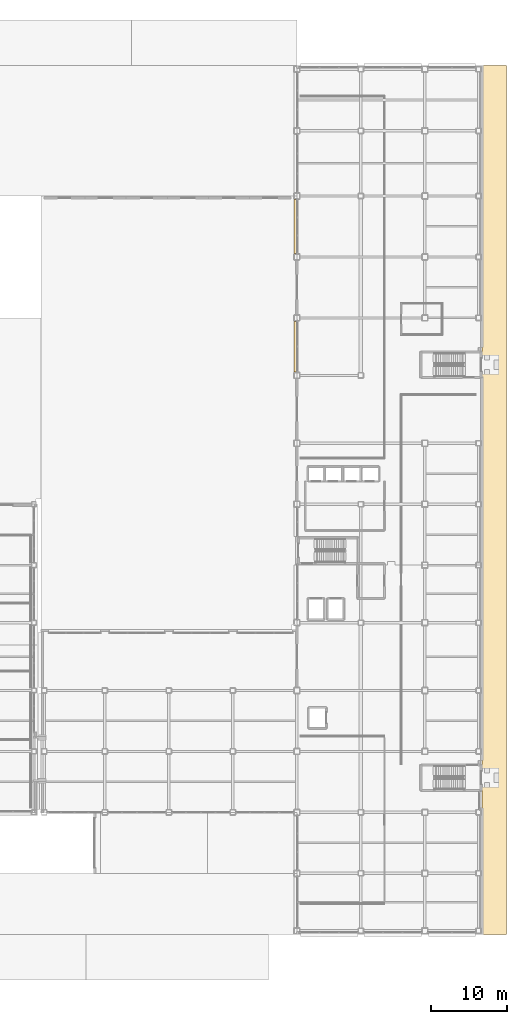
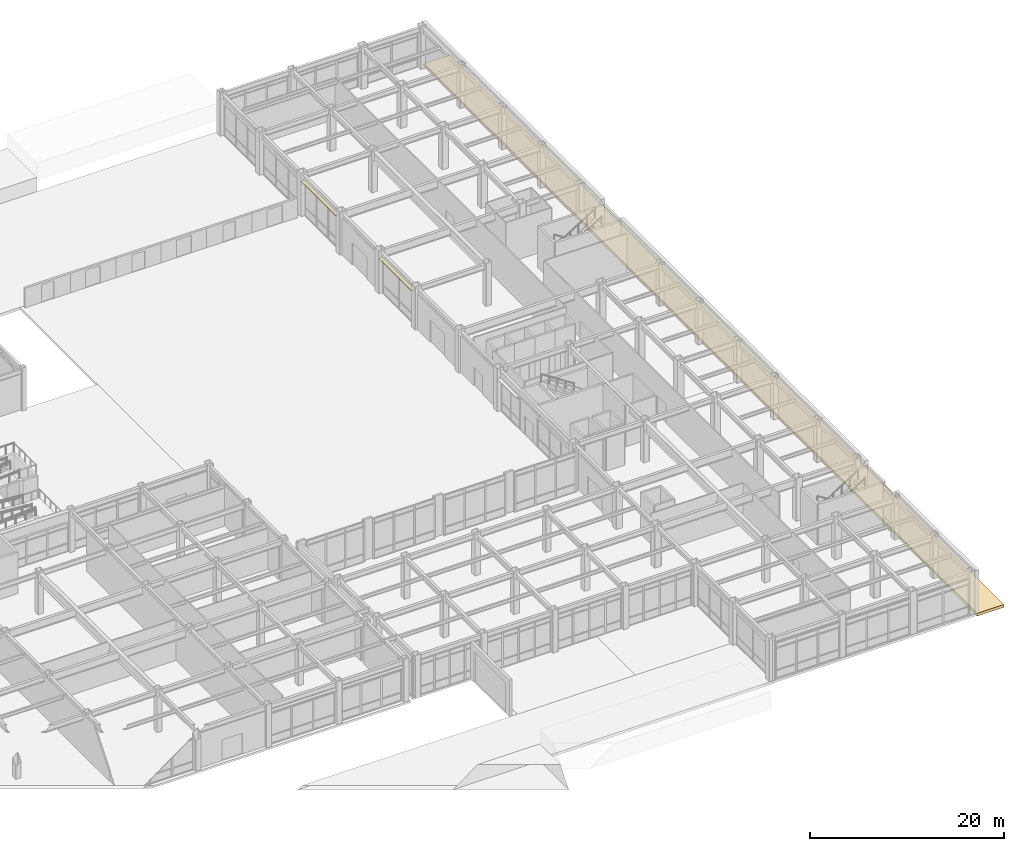
# One storey, part 163 of 165: 3 coverings.
"""IFC4 building model written with IfcOpenShell, lengths in metres."""

from ifc_helpers import new_model, si_unit, direction, frame, origin, origin_2d, place, context, subcontext, project, spatial, polyline, rectangle, outline, extrude, material, layer, layer_set, type_object, element, save


model = new_model("IFC4")

# Units and contexts
model_context = context("Model", 3, precision=1e-05, world=origin(), true_north=direction((0.0, 1.0)))
body_context = subcontext(model_context, "Body", "Model", "MODEL_VIEW")
ifc_project = project(units=[si_unit("LENGTHUNIT", "METRE"), si_unit("AREAUNIT", "SQUARE_METRE"), si_unit("VOLUMEUNIT", "CUBIC_METRE"), si_unit("PLANEANGLEUNIT", "RADIAN"), si_unit("MASSUNIT", "GRAM", prefix="KILO")], contexts=[model_context])

# Site, building, storey
site_placement = place(None, origin())
site = spatial("IfcSite", under=ifc_project, at=site_placement, CompositionType="ELEMENT")
building_placement = place(site_placement, origin())
building = spatial("IfcBuilding", under=site, at=building_placement, Name="Kazehara Bluff Congress Hotel", CompositionType="ELEMENT")
storey_placement = place(building_placement, origin())
storey = spatial("IfcBuildingStorey", under=building, at=storey_placement, Name="L00", CompositionType="ELEMENT", Elevation=0.0)

# Coverings
ifc_material_1 = material(Name="Anodised aluminium architectural brise-soleil", Category="aluminium")
ifc_layer_1 = layer(ifc_material_1, 0.10009765625)
ifc_layer_set_1 = layer_set([ifc_layer_1], Name="Anodised aluminium architectural brise-soleil")
covering_type_1 = type_object("IfcCoveringType", Name="TP-FAC-FIN", PredefinedType="CLADDING", material=ifc_layer_set_1)
covering_1_placement = place(storey_placement, frame((143.56005859375, 77.125, 4.405029296875), z_axis=(0.0, 0.0, 1.0), x_axis=(1.0, 0.0, 0.0)))
element("IfcCovering", 1, at=covering_1_placement, inside=storey, type_object=covering_type_1, Name="L00 V5 architectural sun-hood 26", PredefinedType="CLADDING", context=body_context, shape_type="SweptSolid", body=[
    extrude(rectangle(XDim=0.52001953125, YDim=6.64990234375, at=origin_2d()), origin(), (0.0, 0.0, 1.0), 0.10009765625),
])
covering_2_placement = place(storey_placement, frame((143.56005859375, 92.89990234375, 4.405029296875), z_axis=(0.0, 0.0, 1.0), x_axis=(1.0, 0.0, 0.0)))
element("IfcCovering", 2, at=covering_2_placement, inside=storey, type_object=covering_type_1, Name="L00 V5 architectural sun-hood 27", PredefinedType="CLADDING", context=body_context, shape_type="SweptSolid", body=[
    extrude(rectangle(XDim=0.52001953125, YDim=7.10009765625, at=origin_2d()), origin(), (0.0, 0.0, 1.0), 0.10009765625),
])
ifc_material_2 = material(Name="Granite stone site paving", Category="masonry")
ifc_layer_2 = layer(ifc_material_2, 0.35009765625)
ifc_layer_set_2 = layer_set([ifc_layer_2], Name="Granite stone site paving")
covering_type_2 = type_object("IfcCoveringType", Name="TP-SITE-PAV", PredefinedType="FLOORING", material=ifc_layer_set_2)
covering_3_placement = place(storey_placement, frame((0.0, 0.0, -0.35009765625)))
element("IfcCovering", 3, at=covering_3_placement, inside=storey, type_object=covering_type_2, Name="Osaka bluff granite site terrace PAV-EAST-GAL", PredefinedType="FLOORING", context=body_context, shape_type="SweptSolid", body=[
    extrude(outline(polyline([(168.0, 0.0), (171.199951171875, 0.0), (171.199951171875, 114.0), (168.0, 114.0), (168.0, 0.0)])), origin(), (0.0, 0.0, 1.0), 0.35009765625),
])

save(model, "model.ifc")
